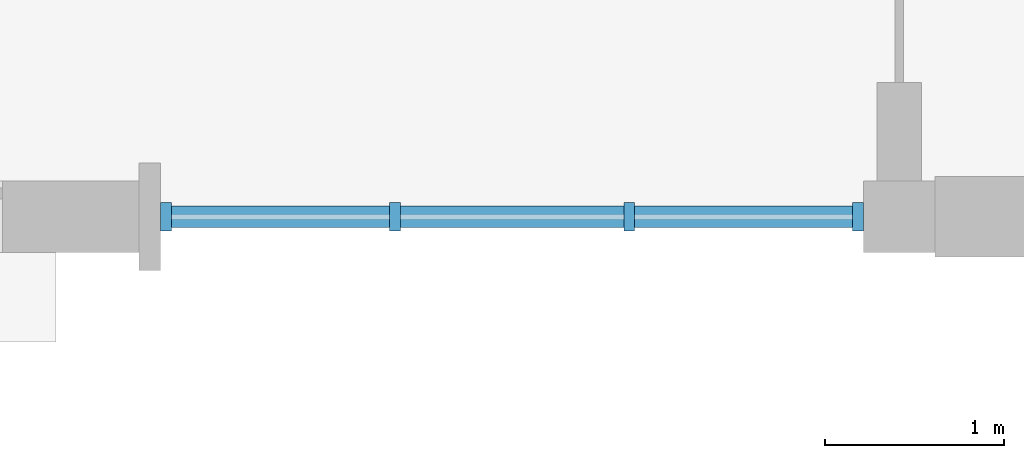
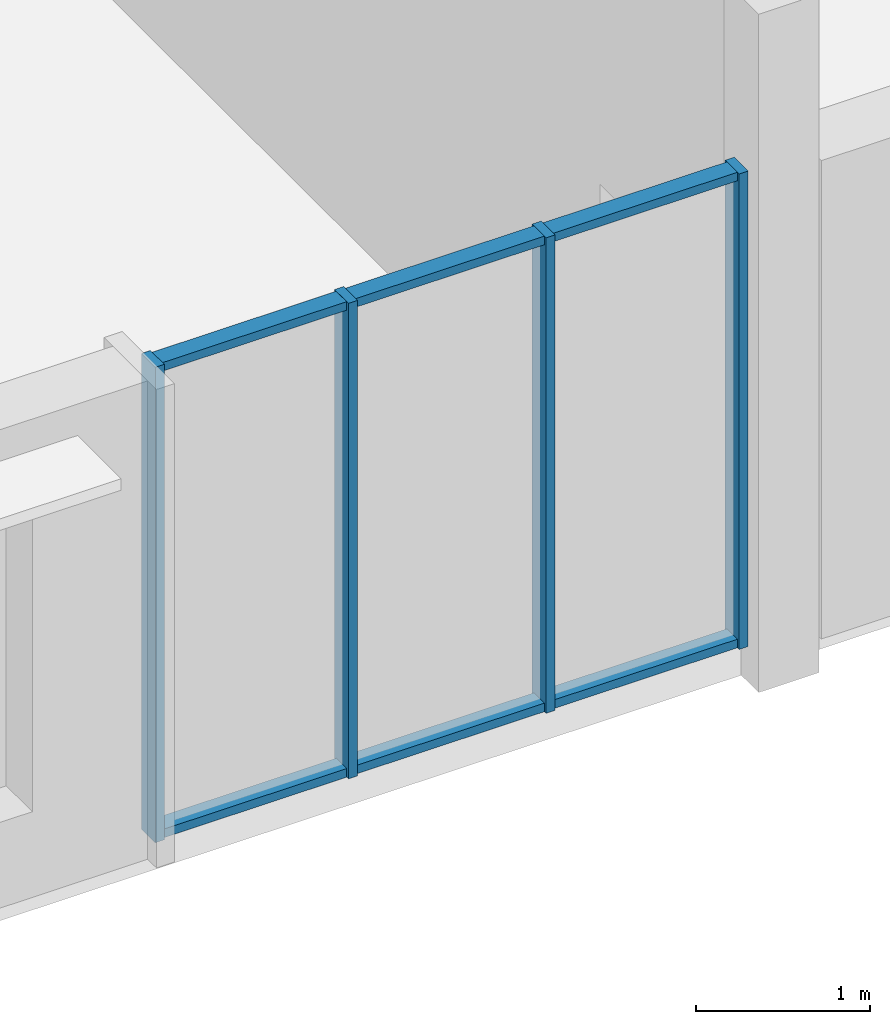
# One storey, part 41 of 101: 10 members, 1 element without a shape of its own.
"""IFC4 building model written with IfcOpenShell, lengths in metres."""

from ifc_helpers import new_model, si_unit, direction, frame, origin, origin_2d, place, context, subcontext, project, spatial, rectangle, extrude, material, material_profile, profile_set, type_object, element, aggregate, save


model = new_model("IFC4")

# Units and contexts
model_context = context("Model", 3, precision=1e-05, world=origin(), true_north=direction((0.0, 1.0)))
body_context = subcontext(model_context, "Body", "Model", "MODEL_VIEW")
ifc_project = project(units=[si_unit("LENGTHUNIT", "METRE"), si_unit("AREAUNIT", "SQUARE_METRE"), si_unit("VOLUMEUNIT", "CUBIC_METRE"), si_unit("PLANEANGLEUNIT", "RADIAN"), si_unit("MASSUNIT", "GRAM", prefix="KILO")], contexts=[model_context])

# Site, building, storey
site_placement = place(None, origin())
site = spatial("IfcSite", under=ifc_project, at=site_placement, CompositionType="ELEMENT")
building_placement = place(site_placement, origin())
building = spatial("IfcBuilding", under=site, at=building_placement, Name="Fescue Hill Polytechnic", CompositionType="ELEMENT")
storey_placement = place(building_placement, frame((0.0, 0.0, 9.0)))
storey = spatial("IfcBuildingStorey", under=building, at=storey_placement, Name="L02", CompositionType="ELEMENT", Elevation=9.0)

# Curtain wall, members
ifc_material_1 = material(Name="Glass", Category="glass")
curtain_wall_type = type_object("IfcCurtainWallType", Name="Curtain wall structural glazing", PredefinedType="NOTDEFINED", material=ifc_material_1)
curtain_wall_placement = place(storey_placement, origin())
curtain_wall = element("IfcCurtainWall", 1, at=curtain_wall_placement, inside=storey, type_object=curtain_wall_type, Name="CW-L02-V5-X3", PredefinedType="NOTDEFINED")
ifc_material_2 = material(Name="Powder-coated aluminium", Category="aluminium")
ifc_material_profile_1 = material_profile(ifc_material_2, rectangle(XDim=0.159912109375, YDim=0.06005859375, at=origin_2d()), Name="Mullion aluminium 60x160")
ifc_profile_set_1 = profile_set([ifc_material_profile_1], Name="Powder-coated aluminium")
member_type_1 = type_object("IfcMemberType", Name="Mullion aluminium 60x160", PredefinedType="MULLION", material=ifc_profile_set_1)
member_1_placement = place(storey_placement, frame((46.302490234375, 109.199951171875, 0.0), z_axis=(0.0, 0.0, 1.0), x_axis=(0.0, 1.0, 0.0)))
member_1 = element("IfcMember", 2, at=member_1_placement, type_object=member_type_1, Name="CW163 mullion 1", PredefinedType="MULLION", context=body_context, shape_type="SweptSolid", body=[
    extrude(rectangle(XDim=0.159912109375, YDim=0.06005859375, at=origin_2d()), origin(), (0.0, 0.0, 1.0), 3.330078125),
])
member_2_placement = place(storey_placement, frame((47.581787109375, 109.199951171875, 0.0), z_axis=(0.0, 0.0, 1.0), x_axis=(0.0, 1.0, 0.0)))
member_2 = element("IfcMember", 3, at=member_2_placement, type_object=member_type_1, Name="CW163 mullion 2", PredefinedType="MULLION", context=body_context, shape_type="SweptSolid", body=[
    extrude(rectangle(XDim=0.159912109375, YDim=0.06005859375, at=origin_2d()), origin(), (0.0, 0.0, 1.0), 3.330078125),
])
member_3_placement = place(storey_placement, frame((48.890869140625, 109.199951171875, 0.0), z_axis=(0.0, 0.0, 1.0), x_axis=(0.0, 1.0, 0.0)))
member_3 = element("IfcMember", 4, at=member_3_placement, type_object=member_type_1, Name="CW163 mullion 3", PredefinedType="MULLION", context=body_context, shape_type="SweptSolid", body=[
    extrude(rectangle(XDim=0.159912109375, YDim=0.06005859375, at=origin_2d()), origin(), (0.0, 0.0, 1.0), 3.330078125),
])
member_4_placement = place(storey_placement, frame((50.169921875, 109.199951171875, 0.0), z_axis=(0.0, 0.0, 1.0), x_axis=(0.0, 1.0, 0.0)))
member_4 = element("IfcMember", 5, at=member_4_placement, type_object=member_type_1, Name="CW163 mullion 4", PredefinedType="MULLION", context=body_context, shape_type="SweptSolid", body=[
    extrude(rectangle(XDim=0.159912109375, YDim=0.06005859375, at=origin_2d()), origin(), (0.0, 0.0, 1.0), 3.330078125),
])
ifc_material_profile_2 = material_profile(ifc_material_2, rectangle(XDim=0.1201171875, YDim=0.06005859375, at=origin_2d()), Name="Transom aluminium 60x120")
ifc_profile_set_2 = profile_set([ifc_material_profile_2], Name="Powder-coated aluminium")
member_type_2 = type_object("IfcMemberType", Name="Transom aluminium 60x120", PredefinedType="USERDEFINED", material=ifc_profile_set_2)
member_5_placement = place(storey_placement, frame((46.33251953125, 109.199951171875, 0.030029296875), z_axis=(1.0, 0.0, 0.0), x_axis=(0.0, 1.0, 0.0)))
member_5 = element("IfcMember", 6, at=member_5_placement, type_object=member_type_2, Name="CW163 transom 1.1", ObjectType="TRANSOM", PredefinedType="USERDEFINED", context=body_context, shape_type="SweptSolid", body=[
    extrude(rectangle(XDim=0.1201171875, YDim=0.06005859375, at=origin_2d()), origin(), (0.0, 0.0, 1.0), 1.21923828125),
])
member_6_placement = place(storey_placement, frame((46.33251953125, 109.199951171875, 3.300048828125), z_axis=(1.0, 0.0, 0.0), x_axis=(0.0, 1.0, 0.0)))
member_6 = element("IfcMember", 7, at=member_6_placement, type_object=member_type_2, Name="CW163 transom 1.2", ObjectType="TRANSOM", PredefinedType="USERDEFINED", context=body_context, shape_type="SweptSolid", body=[
    extrude(rectangle(XDim=0.1201171875, YDim=0.06005859375, at=origin_2d()), origin(), (0.0, 0.0, 1.0), 1.21923828125),
])
member_7_placement = place(storey_placement, frame((47.611572265625, 109.199951171875, 0.030029296875), z_axis=(1.0, 0.0, 0.0), x_axis=(0.0, 1.0, 0.0)))
member_7 = element("IfcMember", 8, at=member_7_placement, type_object=member_type_2, Name="CW163 transom 2.1", ObjectType="TRANSOM", PredefinedType="USERDEFINED", context=body_context, shape_type="SweptSolid", body=[
    extrude(rectangle(XDim=0.1201171875, YDim=0.06005859375, at=origin_2d()), origin(), (0.0, 0.0, 1.0), 1.249267578125),
])
member_8_placement = place(storey_placement, frame((47.611572265625, 109.199951171875, 3.300048828125), z_axis=(1.0, 0.0, 0.0), x_axis=(0.0, 1.0, 0.0)))
member_8 = element("IfcMember", 9, at=member_8_placement, type_object=member_type_2, Name="CW163 transom 2.2", ObjectType="TRANSOM", PredefinedType="USERDEFINED", context=body_context, shape_type="SweptSolid", body=[
    extrude(rectangle(XDim=0.1201171875, YDim=0.06005859375, at=origin_2d()), origin(), (0.0, 0.0, 1.0), 1.249267578125),
])
member_9_placement = place(storey_placement, frame((48.9208984375, 109.199951171875, 0.030029296875), z_axis=(1.0, 0.0, 0.0), x_axis=(0.0, 1.0, 0.0)))
member_9 = element("IfcMember", 10, at=member_9_placement, type_object=member_type_2, Name="CW163 transom 3.1", ObjectType="TRANSOM", PredefinedType="USERDEFINED", context=body_context, shape_type="SweptSolid", body=[
    extrude(rectangle(XDim=0.1201171875, YDim=0.06005859375, at=origin_2d()), origin(), (0.0, 0.0, 1.0), 1.218994140625),
])
member_10_placement = place(storey_placement, frame((48.9208984375, 109.199951171875, 3.300048828125), z_axis=(1.0, 0.0, 0.0), x_axis=(0.0, 1.0, 0.0)))
member_10 = element("IfcMember", 11, at=member_10_placement, type_object=member_type_2, Name="CW163 transom 3.2", ObjectType="TRANSOM", PredefinedType="USERDEFINED", context=body_context, shape_type="SweptSolid", body=[
    extrude(rectangle(XDim=0.1201171875, YDim=0.06005859375, at=origin_2d()), origin(), (0.0, 0.0, 1.0), 1.218994140625),
])
aggregate(curtain_wall, [member_1, member_2, member_3, member_4, member_5, member_6, member_7, member_8, member_9, member_10])

save(model, "model.ifc")
